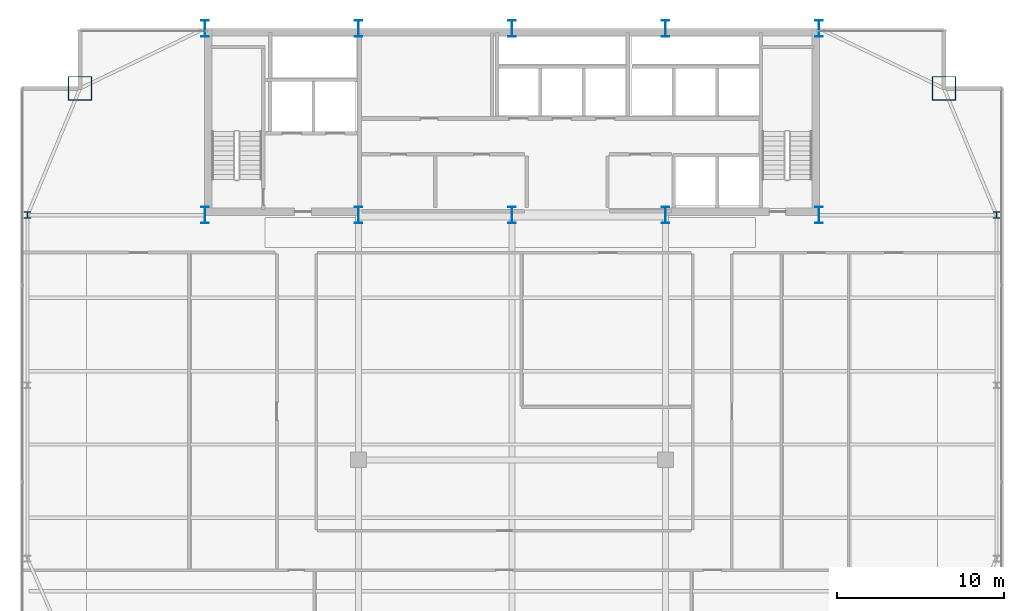
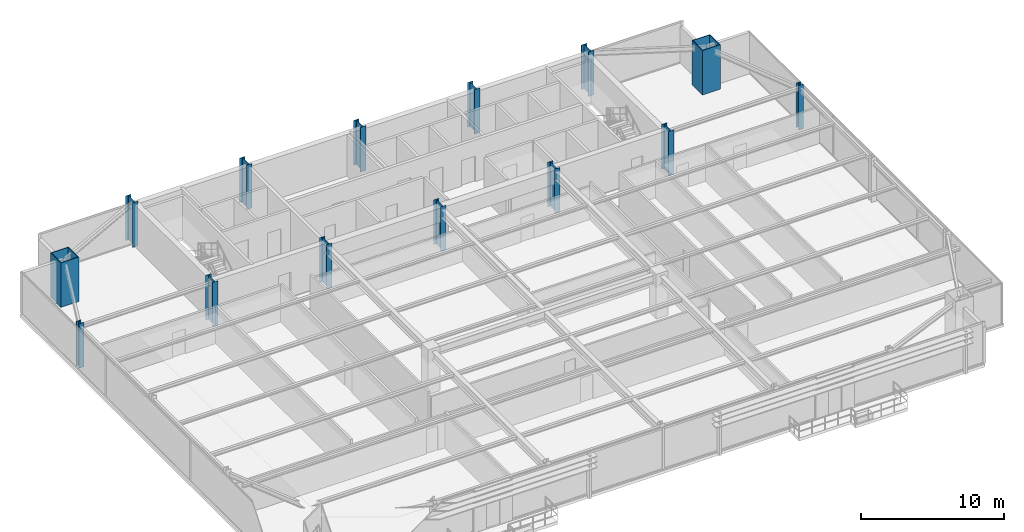
# One storey, part 2 of 32: 14 columns.
"""IFC4 building model written with IfcOpenShell, lengths in metres."""

from ifc_helpers import new_model, si_unit, direction, frame, origin, origin_2d, place, context, subcontext, project, spatial, hollow_rectangle, i_section, extrude, source, transform, mapped, material, material_profile, profile_set, type_object, type_shapes, element, save


model = new_model("IFC4")

# Units and contexts
model_context = context("Model", 3, precision=1e-05, world=origin(), true_north=direction((0.0, 1.0)))
body_context = subcontext(model_context, "Body", "Model", "MODEL_VIEW")
ifc_project = project(units=[si_unit("LENGTHUNIT", "METRE"), si_unit("AREAUNIT", "SQUARE_METRE"), si_unit("VOLUMEUNIT", "CUBIC_METRE"), si_unit("PLANEANGLEUNIT", "RADIAN"), si_unit("MASSUNIT", "GRAM", prefix="KILO")], contexts=[model_context])

# Site, building, storey
site_placement = place(None, origin())
site = spatial("IfcSite", under=ifc_project, at=site_placement, CompositionType="ELEMENT")
building_placement = place(site_placement, origin())
building = spatial("IfcBuilding", under=site, at=building_placement, Name="Varnel Quay Broadcast Tower", CompositionType="ELEMENT")
storey_placement = place(building_placement, frame((0.0, 0.0, 133.39990234375)))
storey = spatial("IfcBuildingStorey", under=building, at=storey_placement, Name="L32", CompositionType="ELEMENT", Elevation=133.39990234375)

# Columns
ifc_material_1 = material(Name="Structural Steel CSA G40.21 350WT", Category="steel")
ifc_material_profile_1 = material_profile(ifc_material_1, i_section(OverallWidth=0.449951171875, OverallDepth=1.0, WebThickness=0.01611328125, FlangeThickness=0.030029296875, FilletRadius=0.01611328125, at=origin_2d()), Name="WWF1000X362")
ifc_profile_set_1 = profile_set([ifc_material_profile_1], Name="Structural Steel CSA G40.21 350WT")
column_type_1 = type_object("IfcColumnType", Name="Col_WWF1000X362", PredefinedType="COLUMN", material=ifc_profile_set_1)
shared_shape_1 = source(origin(), body_context, "Body", "SweptSolid", [
    extrude(i_section(OverallWidth=0.449951171875, OverallDepth=1.0, WebThickness=0.01611328125, FlangeThickness=0.030029296875, FilletRadius=0.01611328125, at=origin_2d()), origin(), (0.0, 0.0, 1.0), 3.800048828125),
])
type_shapes(column_type_1, [shared_shape_1])
for number, where, z_axis, x_axis, name in (
    (1, (15.60009765625, 35.60009765625, 0.0), (0.0, 0.0, 1.0), (1.0, 0.0, 0.0), "L32 Column CC-S1"),
    (2, (15.60009765625, 46.800048828125, 0.0), (0.0, 0.0, 1.0), (1.0, 0.0, 0.0), "L32 Column CC-N1"),
    (3, (24.800048828125, 35.60009765625, 0.0), (0.0, 0.0, 1.0), (1.0, 0.0, 0.0), "L32 Column CC-S2"),
    (4, (24.800048828125, 46.800048828125, 0.0), (0.0, 0.0, 1.0), (1.0, 0.0, 0.0), "L32 Column CC-N2"),
    (5, (34.0, 35.60009765625, 0.0), (0.0, 0.0, 1.0), (1.0, 0.0, 0.0), "L32 Column CC-S3"),
    (6, (34.0, 46.800048828125, 0.0), (0.0, 0.0, 1.0), (1.0, 0.0, 0.0), "L32 Column CC-N3"),
    (7, (43.199951171875, 35.60009765625, 0.0), (0.0, 0.0, 1.0), (1.0, 0.0, 0.0), "L32 Column CC-S4"),
    (8, (43.199951171875, 46.800048828125, 0.0), (0.0, 0.0, 1.0), (1.0, 0.0, 0.0), "L32 Column CC-N4"),
    (9, (52.39990234375, 35.60009765625, 0.0), (0.0, 0.0, 1.0), (1.0, 0.0, 0.0), "L32 Column CC-S5"),
    (10, (52.39990234375, 46.800048828125, 0.0), (0.0, 0.0, 1.0), (1.0, 0.0, 0.0), "L32 Column CC-N5"),
):
    element("IfcColumn", number, at=place(storey_placement, frame(where, z_axis=z_axis, x_axis=x_axis)), inside=storey, type_object=column_type_1, Name=name, PredefinedType="COLUMN", context=body_context, shape_type="MappedRepresentation", body=[
        mapped(shared_shape_1, transform((0.0, 0.0, 0.0), x_axis=(1.0, 0.0, 0.0), y_axis=(0.0, 1.0, 0.0), z_axis=(0.0, 0.0, 1.0), scale=1.0)),
    ])
ifc_material_profile_2 = material_profile(ifc_material_1, hollow_rectangle(XDim=1.449951171875, YDim=1.449951171875, WallThickness=0.054931640625, at=origin_2d()), Name="BOX1450X1450X55")
ifc_profile_set_2 = profile_set([ifc_material_profile_2], Name="Structural Steel CSA G40.21 350WT")
column_type_2 = type_object("IfcColumnType", Name="Col_BOX1450X1450X55", PredefinedType="COLUMN", material=ifc_profile_set_2)
shared_shape_2 = source(origin(), body_context, "Body", "SweptSolid", [
    extrude(hollow_rectangle(XDim=1.449951171875, YDim=1.449951171875, WallThickness=0.054931640625, at=origin_2d()), origin(), (0.0, 0.0, 1.0), 3.800048828125),
])
type_shapes(column_type_2, [shared_shape_2])
for number, where, z_axis, x_axis, name in (
    (11, (59.89990234375, 43.199951171875, 0.0), (0.0, 0.0, 1.0), (1.0, 0.0, 0.0), "L32 Column MC-NE"),
    (12, (8.10009765625, 43.199951171875, 0.0), (0.0, 0.0, 1.0), (1.0, 0.0, 0.0), "L32 Column MC-NW"),
):
    element("IfcColumn", number, at=place(storey_placement, frame(where, z_axis=z_axis, x_axis=x_axis)), inside=storey, type_object=column_type_2, Name=name, PredefinedType="COLUMN", context=body_context, shape_type="MappedRepresentation", body=[
        mapped(shared_shape_2, transform((0.0, 0.0, 0.0), x_axis=(1.0, 0.0, 0.0), y_axis=(0.0, 1.0, 0.0), z_axis=(0.0, 0.0, 1.0), scale=1.0)),
    ])
ifc_material_2 = material(Name="Structural Steel CSA G40.21 350W", Category="steel")
ifc_material_profile_3 = material_profile(ifc_material_2, i_section(OverallWidth=0.39794921875, OverallDepth=0.386962890625, WebThickness=0.02099609375, FlangeThickness=0.033203125, FilletRadius=0.01806640625, at=origin_2d()), Name="W360X262")
ifc_profile_set_3 = profile_set([ifc_material_profile_3], Name="Structural Steel CSA G40.21 350W")
column_type_3 = type_object("IfcColumnType", Name="Col_W360X262", PredefinedType="COLUMN", material=ifc_profile_set_3)
shared_shape_3 = source(origin(), body_context, "Body", "SweptSolid", [
    extrude(i_section(OverallWidth=0.39794921875, OverallDepth=0.386962890625, WebThickness=0.02099609375, FlangeThickness=0.033203125, FilletRadius=0.01806640625, at=origin_2d()), origin(), (0.0, 0.0, 1.0), 3.800048828125),
])
type_shapes(column_type_3, [shared_shape_3])
for number, where, z_axis, x_axis, name in (
    (13, (4.949951171875, 35.60009765625, 0.0), (0.0, 0.0, 1.0), (1.0, 0.0, 0.0), "L32 Column TC-W3"),
    (14, (63.050048828125, 35.60009765625, 0.0), (0.0, 0.0, 1.0), (1.0, 0.0, 0.0), "L32 Column TC-E3"),
):
    element("IfcColumn", number, at=place(storey_placement, frame(where, z_axis=z_axis, x_axis=x_axis)), inside=storey, type_object=column_type_3, Name=name, PredefinedType="COLUMN", context=body_context, shape_type="MappedRepresentation", body=[
        mapped(shared_shape_3, transform((0.0, 0.0, 0.0), x_axis=(1.0, 0.0, 0.0), y_axis=(0.0, 1.0, 0.0), z_axis=(0.0, 0.0, 1.0), scale=1.0)),
    ])

save(model, "model.ifc")
